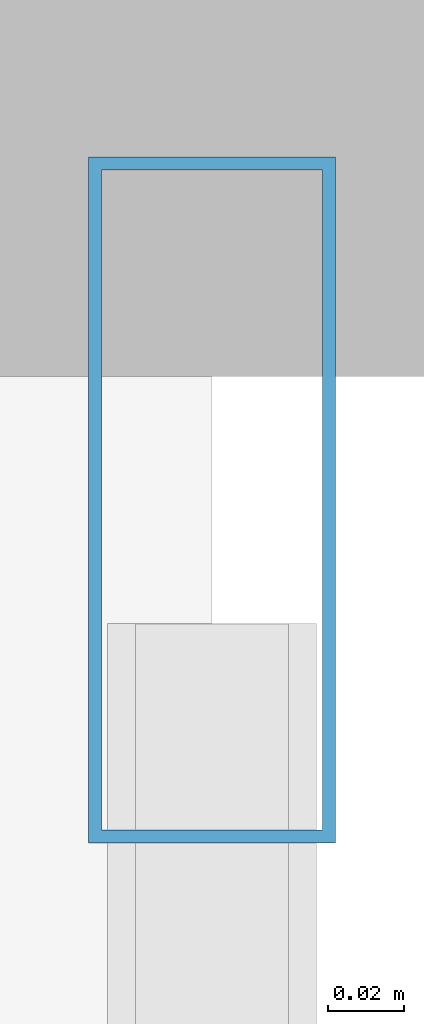
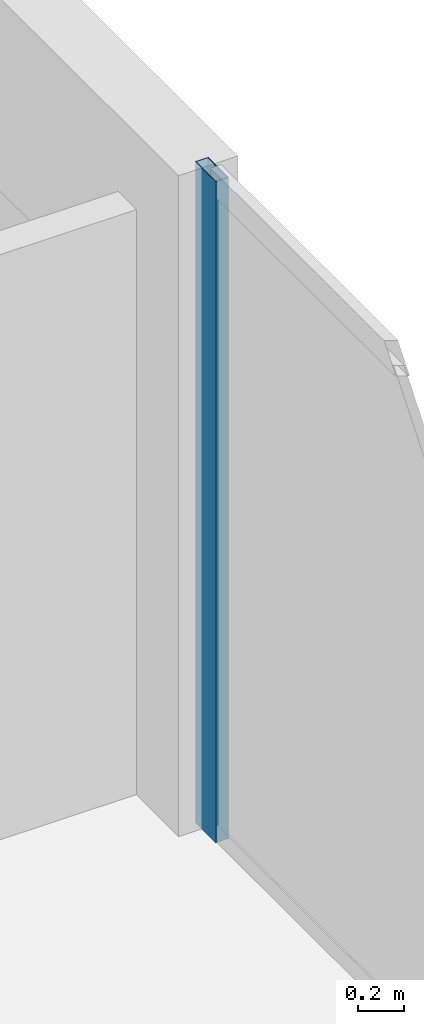
# One storey, part 22 of 33: 1 member, 1 element without a shape of its own.
"""IFC4 building model written with IfcOpenShell, lengths in metres."""

from ifc_helpers import new_model, si_unit, direction, frame, origin, origin_2d, place, context, subcontext, project, spatial, hollow_rectangle, extrude, material, layer, layer_set, material_profile, profile_set, type_object, element, aggregate, save


model = new_model("IFC4")

# Units and contexts
model_context = context("Model", 3, precision=1e-05, world=origin(), true_north=direction((0.0, 1.0)))
body_context = subcontext(model_context, "Body", "Model", "MODEL_VIEW")
ifc_project = project(units=[si_unit("LENGTHUNIT", "METRE"), si_unit("AREAUNIT", "SQUARE_METRE"), si_unit("VOLUMEUNIT", "CUBIC_METRE"), si_unit("PLANEANGLEUNIT", "RADIAN"), si_unit("MASSUNIT", "GRAM", prefix="KILO")], contexts=[model_context])

# Site, building, storey
site_placement = place(None, origin())
site = spatial("IfcSite", under=ifc_project, at=site_placement, CompositionType="ELEMENT")
building_placement = place(site_placement, origin())
building = spatial("IfcBuilding", under=site, at=building_placement, Name="Zuhayl Quay Hotel", CompositionType="ELEMENT")
storey_placement = place(building_placement, frame((0.0, 0.0, 211.14990234375)))
storey = spatial("IfcBuildingStorey", under=building, at=storey_placement, Name="L53", CompositionType="ELEMENT", Elevation=211.14990234375)

# Curtain wall, member
ifc_material_1 = material(Name="Anodised Aluminium 6063-T6", Category="aluminium")
ifc_layer = layer(ifc_material_1, 0.175048828125, Name="Anodised Aluminium 6063-T6", Category="aluminium")
ifc_layer_set = layer_set([ifc_layer], Name="Anodised Aluminium 6063-T6")
curtain_wall_type = type_object("IfcCurtainWallType", Name="CW_SYS_Z3", PredefinedType="USERDEFINED", material=ifc_layer_set)
curtain_wall_placement = place(storey_placement, origin())
curtain_wall = element("IfcCurtainWall", 1, at=curtain_wall_placement, inside=storey, type_object=curtain_wall_type, Name="L53 Curtain Wall ENV_L53_E11_CW1", ObjectType="UNITISED CURTAIN WALL", PredefinedType="USERDEFINED")
ifc_material_2 = material(Name="Black-anodised aluminium 6063-T6", Category="aluminium")
ifc_material_profile = material_profile(ifc_material_2, hollow_rectangle(XDim=0.06494140625, YDim=0.179931640625, WallThickness=0.00341796875, at=origin_2d()), Name="ALU180X65")
ifc_profile_set = profile_set([ifc_material_profile], Name="Black-anodised aluminium 6063-T6")
member_type = type_object("IfcMemberType", Name="MB_CW_MUL_180", PredefinedType="MULLION", material=ifc_profile_set)
member_placement = place(storey_placement, frame((22.10009765625, 24.517578125, 0.0), z_axis=(0.0, 0.0, 1.0), x_axis=(1.0, 0.0, 0.0)))
member = element("IfcMember", 2, at=member_placement, type_object=member_type, Name="CW-Z3 mullion 1", PredefinedType="MULLION", context=body_context, shape_type="SweptSolid", body=[
    extrude(hollow_rectangle(XDim=0.06494140625, YDim=0.179931640625, WallThickness=0.00341796875, at=origin_2d()), origin(), (0.0, 0.0, 1.0), 3.530029296875),
])
aggregate(curtain_wall, [member])

save(model, "model.ifc")
